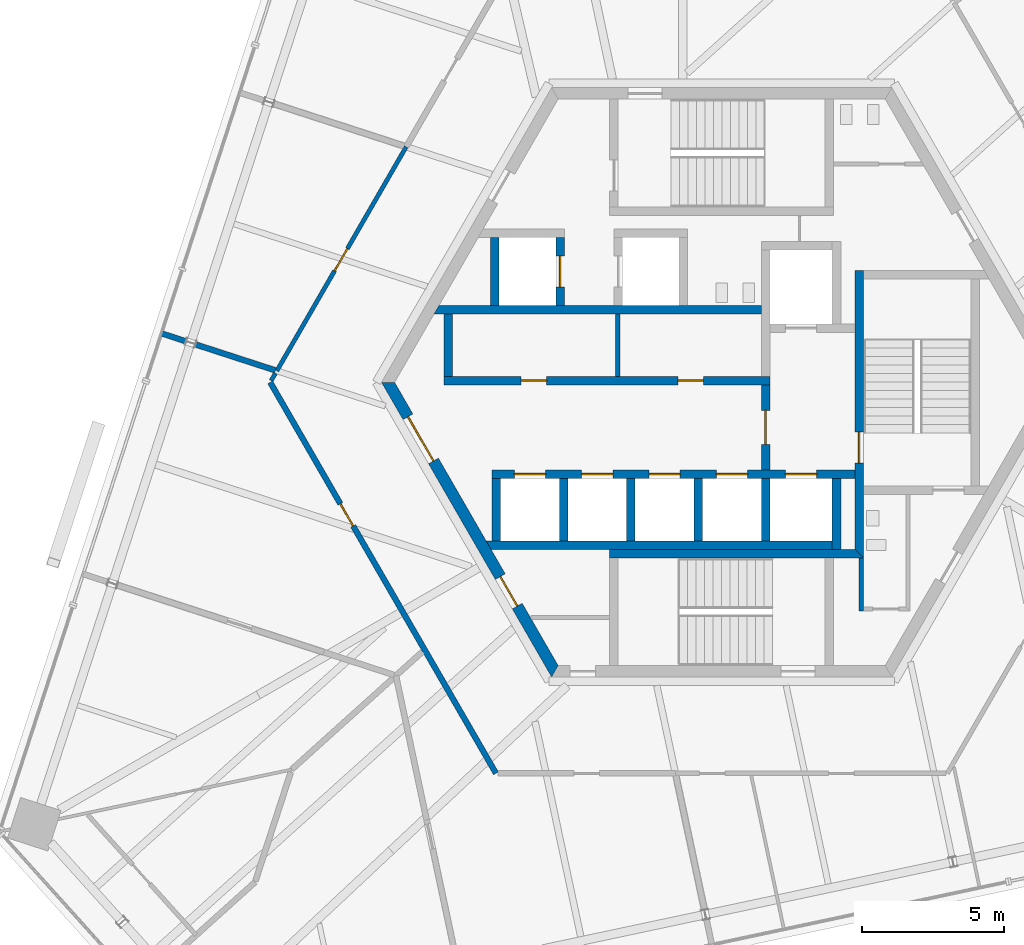
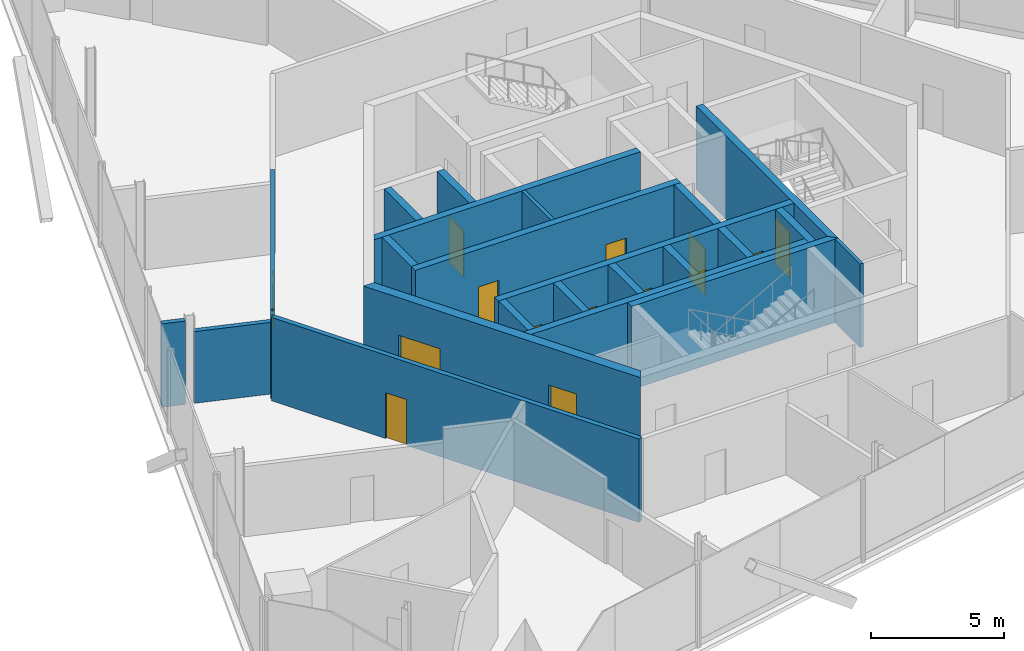
# One storey, part 10 of 14: 24 walls, 14 doors, 14 openings.
"""IFC4 building model written with IfcOpenShell, lengths in metres."""

from ifc_helpers import new_model, si_unit, direction, frame, frame_2d, origin, place, context, subcontext, project, spatial, polyline, rectangle, outline, extrude, source, transform, mapped, material, layer, layer_set, type_object, element, fill, save


model = new_model("IFC4")

# Units and contexts
model_context = context("Model", 3, precision=1e-05, world=origin(), true_north=direction((0.0, 1.0)))
body_context = subcontext(model_context, "Body", "Model", "MODEL_VIEW")
ifc_project = project(units=[si_unit("LENGTHUNIT", "METRE"), si_unit("AREAUNIT", "SQUARE_METRE"), si_unit("VOLUMEUNIT", "CUBIC_METRE"), si_unit("PLANEANGLEUNIT", "RADIAN"), si_unit("MASSUNIT", "GRAM", prefix="KILO")], contexts=[model_context])

# Site, building, storey
site_placement = place(None, origin())
site = spatial("IfcSite", under=ifc_project, at=site_placement, CompositionType="ELEMENT")
building_placement = place(site_placement, origin())
building = spatial("IfcBuilding", under=site, at=building_placement, Name="Triune Harvest Tower", CompositionType="ELEMENT")
storey_placement = place(building_placement, frame((0.0, 0.0, 284.699951171875)))
storey = spatial("IfcBuildingStorey", under=building, at=storey_placement, Name="L75", CompositionType="ELEMENT", Elevation=284.699951171875)

# Wall, opening, door
ifc_material_1 = material(Name="Gypsum board on steel studs", Category="steel")
ifc_layer_1 = layer(ifc_material_1, 0.14990234375)
ifc_layer_set_1 = layer_set([ifc_layer_1], Name="Gypsum board on steel studs")
wall_type_1 = type_object("IfcWallType", Name="Fire Partition 150 mm", PredefinedType="PARTITIONING", material=ifc_layer_set_1)
wall_1_placement = place(storey_placement, frame((-15.69091796875, 0.407470703125, 0.0), z_axis=(0.0, 0.0, 1.0), x_axis=(0.500025186197, 0.866010862038, 0.0)))
wall_1 = element("IfcWall", 1, at=wall_1_placement, inside=storey, type_object=wall_type_1, Name="Partition L75 044", PredefinedType="PARTITIONING", context=body_context, shape_type="SweptSolid", body=[
    extrude(rectangle(XDim=9.12158203125, YDim=0.14990234375, at=frame_2d((4.560791015625, 0.0))), origin(), (0.0, 0.0, 1.0), 3.820068359375),
])
opening_1_placement = place(wall_1_placement, frame((4.07470703125, 0.0, 0.0)))
opening_1 = element("IfcOpeningElement", 2, at=opening_1_placement, cuts=wall_1, Name="Opening L75-006", PredefinedType="OPENING", context=body_context, shape_type="SweptSolid", body=[
    extrude(rectangle(XDim=0.89990234375, YDim=2.10009765625, at=frame_2d((0.449951171875, 1.050048828125))), frame((0.0, 0.0849609375, 0.0), z_axis=(0.0, -1.0, 0.0), x_axis=(1.0, 0.0, 0.0)), (0.0, 0.0, 1.0), 0.169921875),
])
ifc_material_2 = material(Name="Timber and steel door set", Category="steel")
door_type_1 = type_object("IfcDoorType", Name="Single leaf door FD30 left hand 900 x 2100", OperationType="SINGLE_SWING_LEFT", PredefinedType="DOOR", material=ifc_material_2)
door_1_placement = place(opening_1_placement, origin())
door_1 = element("IfcDoor", 3, at=door_1_placement, inside=storey, type_object=door_type_1, Name="Door L75-006 Dry Store Room 75.06", OperationType="SINGLE_SWING_LEFT", OverallHeight=2.10009765625, OverallWidth=0.89990234375, PredefinedType="DOOR", context=body_context, shape_type="SweptSolid", body=[
    extrude(rectangle(XDim=0.89990234375, YDim=2.10009765625, at=frame_2d((0.449951171875, 1.050048828125))), frame((0.0, 0.02490234375, 0.0), z_axis=(0.0, -1.0, 0.0), x_axis=(1.0, 0.0, 0.0)), (0.0, 0.0, 1.0), 0.050048828125),
])
fill(opening_1, door_1)

ifc_material_3 = material(Name="Gypsum board on steel studs", Category="steel")
ifc_layer_2 = layer(ifc_material_3, 0.199951171875)
ifc_layer_set_2 = layer_set([ifc_layer_2], Name="Gypsum board on steel studs")
wall_type_2 = type_object("IfcWallType", Name="Fire Wall 200 mm", PredefinedType="PARTITIONING", material=ifc_layer_set_2)
wall_2_placement = place(storey_placement, frame((-15.926025390625, 0.0, 0.0), z_axis=(0.0, 0.0, 1.0), x_axis=(0.500008637215, -0.866020417028, 0.0)))
wall_2 = element("IfcWall", 4, at=wall_2_placement, inside=storey, type_object=wall_type_2, Name="Partition L75 010", PredefinedType="PARTITIONING", context=body_context, shape_type="SweptSolid", body=[
    extrude(rectangle(XDim=15.926025390625, YDim=0.199951171875, at=frame_2d((7.962890625, 0.0))), origin(), (0.0, 0.0, 1.0), 3.820068359375),
])
opening_2_placement = place(wall_2_placement, frame((4.949951171875, 0.0, 0.0)))
opening_2 = element("IfcOpeningElement", 5, at=opening_2_placement, cuts=wall_2, Name="Opening L75-007", PredefinedType="OPENING", context=body_context, shape_type="SweptSolid", body=[
    extrude(rectangle(XDim=0.89990234375, YDim=2.10009765625, at=frame_2d((0.449951171875, 1.050048828125))), frame((0.0, 0.10986328125, 0.0), z_axis=(0.0, -1.0, 0.0), x_axis=(1.0, 0.0, 0.0)), (0.0, 0.0, 1.0), 0.219970703125),
])
ifc_material_4 = material(Name="Timber and steel door set", Category="steel")
door_type_2 = type_object("IfcDoorType", Name="Single leaf door FD60 right hand 900 x 2100", OperationType="SINGLE_SWING_RIGHT", PredefinedType="DOOR", material=ifc_material_4)
door_2_placement = place(opening_2_placement, origin())
door_2 = element("IfcDoor", 6, at=door_2_placement, inside=storey, type_object=door_type_2, Name="Door L75-007 Commercial Kitchen 75.07", OperationType="SINGLE_SWING_RIGHT", OverallHeight=2.10009765625, OverallWidth=0.89990234375, PredefinedType="DOOR", context=body_context, shape_type="SweptSolid", body=[
    extrude(rectangle(XDim=0.89990234375, YDim=2.10009765625, at=frame_2d((0.449951171875, 1.050048828125))), frame((0.0, 0.02490234375, 0.0), z_axis=(0.0, -1.0, 0.0), x_axis=(1.0, 0.0, 0.0)), (0.0, 0.0, 1.0), 0.050048828125),
])
fill(opening_2, door_2)

# Wall
wall_3_placement = place(storey_placement, frame((-19.76318359375, 1.727783203125, 0.0), z_axis=(0.0, 0.0, 1.0), x_axis=(0.95108307013, -0.308935258124, 0.0)))
element("IfcWall", 7, at=wall_3_placement, inside=storey, type_object=wall_type_2, Name="Partition L75 021", PredefinedType="PARTITIONING", context=body_context, shape_type="SweptSolid", body=[
    extrude(rectangle(XDim=0.9150390625, YDim=0.199951171875, at=frame_2d((0.45751953125, 0.0))), origin(), (0.0, 0.0, 1.0), 3.820068359375),
])

# Wall, openings, doors
ifc_material_5 = material(Name="Concrete 70 MPa", Category="concrete")
ifc_layer_3 = layer(ifc_material_5, 0.39990234375)
ifc_layer_set_3 = layer_set([ifc_layer_3], Name="Concrete 70 MPa")
wall_type_3 = type_object("IfcWallType", Name="Core wall 400", PredefinedType="SHEAR", material=ifc_layer_set_3)
shared_shape_1 = source(origin(), body_context, "Body", "SweptSolid", [
    extrude(outline(polyline([(-0.115478515625, -0.199951171875), (11.884521484375, -0.199951171875), (11.653564453125, 0.199951171875), (0.115478515625, 0.199951171875), (-0.115478515625, -0.199951171875)])), origin(), (0.0, 0.0, 1.0), 3.820068359375),
])
wall_4_placement = place(storey_placement, frame((-11.76904296875, 0.0, 0.0), z_axis=(0.0, 0.0, 1.0), x_axis=(0.499996592174, -0.866027371285, 0.0)))
wall_4 = element("IfcWall", 8, at=wall_4_placement, inside=storey, type_object=wall_type_3, Name="Hexagon 3 wall", PredefinedType="SHEAR", context=body_context, shape_type="MappedRepresentation", body=[
    mapped(shared_shape_1, transform((0.0, 0.0, 0.0), scale=1.0)),
])
opening_3_placement = place(wall_4_placement, frame((1.404541015625, 0.0, 0.0)))
opening_3 = element("IfcOpeningElement", 9, at=opening_3_placement, cuts=wall_4, Name="Opening CD-LS", PredefinedType="OPENING", context=body_context, shape_type="SweptSolid", body=[
    extrude(rectangle(XDim=1.800048828125, YDim=2.10009765625, at=frame_2d((0.89990234375, 1.050048828125))), frame((0.0, 0.2099609375, 0.0), z_axis=(0.0, -1.0, 0.0), x_axis=(1.0, 0.0, 0.0)), (0.0, 0.0, 1.0), 0.419921875),
])
opening_4_placement = place(wall_4_placement, frame((7.91455078125, 0.0, 0.0)))
opening_4 = element("IfcOpeningElement", 10, at=opening_4_placement, cuts=wall_4, Name="Opening CD-SWP", PredefinedType="OPENING", context=body_context, shape_type="SweptSolid", body=[
    extrude(rectangle(XDim=1.199951171875, YDim=2.10009765625, at=frame_2d((0.60009765625, 1.050048828125))), frame((0.0, 0.2099609375, 0.0), z_axis=(0.0, -1.0, 0.0), x_axis=(1.0, 0.0, 0.0)), (0.0, 0.0, 1.0), 0.419921875),
])
ifc_material_6 = material(Name="Steel S235", Category="steel")
door_type_3 = type_object("IfcDoorType", Name="Lobby door 1800 FD120", OperationType="DOUBLE_DOOR_DOUBLE_SWING", PredefinedType="DOOR", material=ifc_material_6)
door_3_placement = place(opening_3_placement, frame((1.800048828125, 0.0, 0.0), z_axis=(0.0, 0.0, 1.0), x_axis=(-1.0, 0.0, 0.0)))
door_3 = element("IfcDoor", 11, at=door_3_placement, inside=storey, type_object=door_type_3, Name="Door CD-LS", OperationType="DOUBLE_DOOR_DOUBLE_SWING", OverallHeight=2.10009765625, OverallWidth=1.800048828125, PredefinedType="DOOR", context=body_context, shape_type="SweptSolid", body=[
    extrude(rectangle(XDim=1.800048828125, YDim=2.10009765625, at=frame_2d((0.89990234375, 1.050048828125))), frame((0.0, 0.02490234375, 0.0), z_axis=(0.0, -1.0, 0.0), x_axis=(1.0, 0.0, 0.0)), (0.0, 0.0, 1.0), 0.050048828125),
])
fill(opening_3, door_3)
ifc_material_7 = material(Name="Steel S235", Category="steel")
door_type_4 = type_object("IfcDoorType", Name="Service door 1200 FD120", OperationType="SINGLE_SWING_LEFT", PredefinedType="DOOR", material=ifc_material_7)
door_4_placement = place(opening_4_placement, frame((1.199951171875, 0.0, 0.0), z_axis=(0.0, 0.0, 1.0), x_axis=(-1.0, 0.0, 0.0)))
door_4 = element("IfcDoor", 12, at=door_4_placement, inside=storey, type_object=door_type_4, Name="Door CD-SWP", OperationType="SINGLE_SWING_RIGHT", OverallHeight=2.10009765625, OverallWidth=1.199951171875, PredefinedType="DOOR", context=body_context, shape_type="SweptSolid", body=[
    extrude(rectangle(XDim=1.199951171875, YDim=2.10009765625, at=frame_2d((0.60009765625, 1.050048828125))), frame((0.0, 0.02490234375, 0.0), z_axis=(0.0, -1.0, 0.0), x_axis=(1.0, 0.0, 0.0)), (0.0, 0.0, 1.0), 0.050048828125),
])
fill(opening_4, door_4)

ifc_material_8 = material(Name="Concrete 70 MPa", Category="concrete")
ifc_layer_4 = layer(ifc_material_8, 0.300048828125)
ifc_layer_set_4 = layer_set([ifc_layer_4], Name="Concrete 70 MPa")
wall_type_4 = type_object("IfcWallType", Name="Core wall 300", PredefinedType="SHEAR", material=ifc_layer_set_4)
shared_shape_2 = source(origin(), body_context, "Body", "SweptSolid", [
    extrude(rectangle(XDim=11.5, YDim=0.300048828125, at=frame_2d((5.75, 0.0))), origin(), (0.0, 0.0, 1.0), 3.820068359375),
])
wall_5_placement = place(storey_placement, frame((-9.800048828125, 0.06005859375, 0.0), z_axis=(0.0, 0.0, 1.0), x_axis=(1.0, 0.0, 0.0)))
wall_5 = element("IfcWall", 13, at=wall_5_placement, inside=storey, type_object=wall_type_4, Name="North front wall", PredefinedType="SHEAR", context=body_context, shape_type="MappedRepresentation", body=[
    mapped(shared_shape_2, transform((0.0, 0.0, 0.0), scale=1.0)),
])
opening_5_placement = place(wall_5_placement, frame((2.7275390625, 0.0, 0.0)))
opening_5 = element("IfcOpeningElement", 14, at=opening_5_placement, cuts=wall_5, Name="Opening CD-RN1", PredefinedType="OPENING", context=body_context, shape_type="SweptSolid", body=[
    extrude(rectangle(XDim=0.89990234375, YDim=2.10009765625, at=frame_2d((0.449951171875, 1.050048828125))), frame((0.0, 0.16015625, 0.0), z_axis=(0.0, -1.0, 0.0), x_axis=(1.0, 0.0, 0.0)), (0.0, 0.0, 1.0), 0.320068359375),
])
opening_6_placement = place(wall_5_placement, frame((8.25244140625, 0.0, 0.0)))
opening_6 = element("IfcOpeningElement", 15, at=opening_6_placement, cuts=wall_5, Name="Opening CD-RN2", PredefinedType="OPENING", context=body_context, shape_type="SweptSolid", body=[
    extrude(rectangle(XDim=0.89990234375, YDim=2.10009765625, at=frame_2d((0.449951171875, 1.050048828125))), frame((0.0, 0.16015625, 0.0), z_axis=(0.0, -1.0, 0.0), x_axis=(1.0, 0.0, 0.0)), (0.0, 0.0, 1.0), 0.320068359375),
])
ifc_material_9 = material(Name="Steel S235", Category="steel")
door_type_5 = type_object("IfcDoorType", Name="Riser door 900 FD120", OperationType="SINGLE_SWING_LEFT", PredefinedType="DOOR", material=ifc_material_9)
door_5_placement = place(opening_5_placement, frame((0.89990234375, 0.0, 0.0), z_axis=(0.0, 0.0, 1.0), x_axis=(-1.0, 0.0, 0.0)))
door_5 = element("IfcDoor", 16, at=door_5_placement, inside=storey, type_object=door_type_5, Name="Door CD-RN1", OperationType="SINGLE_SWING_RIGHT", OverallHeight=2.10009765625, OverallWidth=0.89990234375, PredefinedType="DOOR", context=body_context, shape_type="SweptSolid", body=[
    extrude(rectangle(XDim=0.89990234375, YDim=2.10009765625, at=frame_2d((0.449951171875, 1.050048828125))), frame((0.0, 0.02490234375, 0.0), z_axis=(0.0, -1.0, 0.0), x_axis=(1.0, 0.0, 0.0)), (0.0, 0.0, 1.0), 0.050048828125),
])
fill(opening_5, door_5)
door_6_placement = place(opening_6_placement, frame((0.89990234375, 0.0, 0.0), z_axis=(0.0, 0.0, 1.0), x_axis=(-1.0, 0.0, 0.0)))
door_6 = element("IfcDoor", 17, at=door_6_placement, inside=storey, type_object=door_type_5, Name="Door CD-RN2", OperationType="SINGLE_SWING_RIGHT", OverallHeight=2.10009765625, OverallWidth=0.89990234375, PredefinedType="DOOR", context=body_context, shape_type="SweptSolid", body=[
    extrude(rectangle(XDim=0.89990234375, YDim=2.10009765625, at=frame_2d((0.449951171875, 1.050048828125))), frame((0.0, 0.02490234375, 0.0), z_axis=(0.0, -1.0, 0.0), x_axis=(1.0, 0.0, 0.0)), (0.0, 0.0, 1.0), 0.050048828125),
])
fill(opening_6, door_6)

# Walls
shared_shape_3 = source(origin(), body_context, "Body", "SweptSolid", [
    extrude(outline(polyline([(11.199951171875, -0.14990234375), (-0.34912109375, -0.14990234375), (-0.17578125, 0.14990234375), (11.199951171875, 0.14990234375), (11.199951171875, -0.14990234375)])), origin(), (0.0, 0.0, 1.0), 3.820068359375),
])
wall_6_placement = place(storey_placement, frame((-9.800048828125, 2.56005859375, 0.0), z_axis=(0.0, 0.0, 1.0), x_axis=(1.0, 0.0, 0.0)))
element("IfcWall", 18, at=wall_6_placement, inside=storey, type_object=wall_type_4, Name="North back wall", PredefinedType="SHEAR", context=body_context, shape_type="MappedRepresentation", body=[
    mapped(shared_shape_3, transform((0.0, 0.0, 0.0), scale=1.0)),
])
shared_shape_4 = source(origin(), body_context, "Body", "SweptSolid", [
    extrude(rectangle(XDim=2.5, YDim=0.300048828125, at=frame_2d((1.25, 0.0))), origin(), (0.0, 0.0, 1.0), 3.820068359375),
])
wall_7_placement = place(storey_placement, frame((4.050048828125, -5.889892578125, 0.0), z_axis=(0.0, 0.0, 1.0), x_axis=(0.0, 1.0, 0.0)))
element("IfcWall", 19, at=wall_7_placement, inside=storey, type_object=wall_type_4, Name="Ff2 east wall", PredefinedType="SHEAR", context=body_context, shape_type="MappedRepresentation", body=[
    mapped(shared_shape_4, transform((0.0, 0.0, 0.0), scale=1.0)),
])

# Wall, opening, door
shared_shape_5 = source(origin(), body_context, "Body", "SweptSolid", [
    extrude(rectangle(XDim=3.0, YDim=0.300048828125, at=frame_2d((1.5, 0.0))), origin(), (0.0, 0.0, 1.0), 3.820068359375),
])
wall_8_placement = place(storey_placement, frame((1.550048828125, -3.090087890625, 0.0), z_axis=(0.0, 0.0, 1.0), x_axis=(0.0, 1.0, 0.0)))
wall_8 = element("IfcWall", 20, at=wall_8_placement, inside=storey, type_object=wall_type_4, Name="Ff lobby west wall", PredefinedType="SHEAR", context=body_context, shape_type="MappedRepresentation", body=[
    mapped(shared_shape_5, transform((0.0, 0.0, 0.0), scale=1.0)),
])
opening_7_placement = place(wall_8_placement, frame((0.89990234375, 0.0, 0.0)))
opening_7 = element("IfcOpeningElement", 21, at=opening_7_placement, cuts=wall_8, Name="Opening CD-FL", PredefinedType="OPENING", context=body_context, shape_type="SweptSolid", body=[
    extrude(rectangle(XDim=1.199951171875, YDim=2.10009765625, at=frame_2d((0.60009765625, 1.050048828125))), frame((0.0, 0.16015625, 0.0), z_axis=(0.0, -1.0, 0.0), x_axis=(1.0, 0.0, 0.0)), (0.0, 0.0, 1.0), 0.320068359375),
])
ifc_material_10 = material(Name="Steel S235", Category="steel")
door_type_6 = type_object("IfcDoorType", Name="Firefighters' lobby door 1200 FD120", OperationType="SINGLE_SWING_LEFT", PredefinedType="DOOR", material=ifc_material_10)
door_7_placement = place(opening_7_placement, frame((1.199951171875, 0.0, 0.0), z_axis=(0.0, 0.0, 1.0), x_axis=(-1.0, 0.0, 0.0)))
door_7 = element("IfcDoor", 22, at=door_7_placement, inside=storey, type_object=door_type_6, Name="Door CD-FL", OperationType="SINGLE_SWING_RIGHT", OverallHeight=2.10009765625, OverallWidth=1.199951171875, PredefinedType="DOOR", context=body_context, shape_type="SweptSolid", body=[
    extrude(rectangle(XDim=1.199951171875, YDim=2.10009765625, at=frame_2d((0.60009765625, 1.050048828125))), frame((0.0, 0.02490234375, 0.0), z_axis=(0.0, -1.0, 0.0), x_axis=(1.0, 0.0, 0.0)), (0.0, 0.0, 1.0), 0.050048828125),
])
fill(opening_7, door_7)

# Wall, openings, doors
shared_shape_6 = source(origin(), body_context, "Body", "SweptSolid", [
    extrude(rectangle(XDim=12.800048828125, YDim=0.300048828125, at=frame_2d((6.39990234375, 0.0))), origin(), (0.0, 0.0, 1.0), 3.820068359375),
])
wall_9_placement = place(storey_placement, frame((-8.10009765625, -3.239990234375, 0.0), z_axis=(0.0, 0.0, 1.0), x_axis=(1.0, 0.0, 0.0)))
wall_9 = element("IfcWall", 23, at=wall_9_placement, inside=storey, type_object=wall_type_4, Name="South front wall", PredefinedType="SHEAR", context=body_context, shape_type="MappedRepresentation", body=[
    mapped(shared_shape_6, transform((0.0, 0.0, 0.0), scale=1.0)),
])
opening_8_placement = place(wall_9_placement, frame((0.78759765625, 0.0, 0.0)))
opening_8 = element("IfcOpeningElement", 24, at=opening_8_placement, cuts=wall_9, Name="Opening LD-HR1-75", PredefinedType="OPENING", context=body_context, shape_type="SweptSolid", body=[
    extrude(rectangle(XDim=1.10009765625, YDim=2.10009765625, at=frame_2d((0.550048828125, 1.050048828125))), frame((0.0, 0.16015625, 0.0), z_axis=(0.0, -1.0, 0.0), x_axis=(1.0, 0.0, 0.0)), (0.0, 0.0, 1.0), 0.320068359375),
])
opening_9_placement = place(wall_9_placement, frame((3.16259765625, 0.0, 0.0)))
opening_9 = element("IfcOpeningElement", 25, at=opening_9_placement, cuts=wall_9, Name="Opening LD-HR2-75", PredefinedType="OPENING", context=body_context, shape_type="SweptSolid", body=[
    extrude(rectangle(XDim=1.10009765625, YDim=2.10009765625, at=frame_2d((0.550048828125, 1.050048828125))), frame((0.0, 0.16015625, 0.0), z_axis=(0.0, -1.0, 0.0), x_axis=(1.0, 0.0, 0.0)), (0.0, 0.0, 1.0), 0.320068359375),
])
opening_10_placement = place(wall_9_placement, frame((5.53759765625, 0.0, 0.0)))
opening_10 = element("IfcOpeningElement", 26, at=opening_10_placement, cuts=wall_9, Name="Opening LD-HR3-75", PredefinedType="OPENING", context=body_context, shape_type="SweptSolid", body=[
    extrude(rectangle(XDim=1.10009765625, YDim=2.10009765625, at=frame_2d((0.550048828125, 1.050048828125))), frame((0.0, 0.16015625, 0.0), z_axis=(0.0, -1.0, 0.0), x_axis=(1.0, 0.0, 0.0)), (0.0, 0.0, 1.0), 0.320068359375),
])
opening_11_placement = place(wall_9_placement, frame((7.91259765625, 0.0, 0.0)))
opening_11 = element("IfcOpeningElement", 27, at=opening_11_placement, cuts=wall_9, Name="Opening LD-HR4-75", PredefinedType="OPENING", context=body_context, shape_type="SweptSolid", body=[
    extrude(rectangle(XDim=1.10009765625, YDim=2.10009765625, at=frame_2d((0.550048828125, 1.050048828125))), frame((0.0, 0.16015625, 0.0), z_axis=(0.0, -1.0, 0.0), x_axis=(1.0, 0.0, 0.0)), (0.0, 0.0, 1.0), 0.320068359375),
])
opening_12_placement = place(wall_9_placement, frame((10.35009765625, 0.0, 0.0)))
opening_12 = element("IfcOpeningElement", 28, at=opening_12_placement, cuts=wall_9, Name="Opening LD-FF2-75", PredefinedType="OPENING", context=body_context, shape_type="SweptSolid", body=[
    extrude(rectangle(XDim=1.10009765625, YDim=2.10009765625, at=frame_2d((0.550048828125, 1.050048828125))), frame((0.0, 0.16015625, 0.0), z_axis=(0.0, -1.0, 0.0), x_axis=(1.0, 0.0, 0.0)), (0.0, 0.0, 1.0), 0.320068359375),
])
ifc_material_11 = material(Name="Stainless steel AISI 304", Category="steel")
door_type_7 = type_object("IfcDoorType", Name="Landing door 1100 x 2100", OperationType="DOUBLE_DOOR_SLIDING", PredefinedType="DOOR", material=ifc_material_11)
door_8_placement = place(opening_8_placement, origin())
door_8 = element("IfcDoor", 29, at=door_8_placement, inside=storey, type_object=door_type_7, Name="Door LD-HR1-75", OperationType="DOUBLE_DOOR_SLIDING", OverallHeight=2.10009765625, OverallWidth=1.10009765625, PredefinedType="DOOR", context=body_context, shape_type="SweptSolid", body=[
    extrude(rectangle(XDim=1.10009765625, YDim=2.10009765625, at=frame_2d((0.550048828125, 1.050048828125))), frame((0.0, 0.02490234375, 0.0), z_axis=(0.0, -1.0, 0.0), x_axis=(1.0, 0.0, 0.0)), (0.0, 0.0, 1.0), 0.050048828125),
])
fill(opening_8, door_8)
door_9_placement = place(opening_9_placement, origin())
door_9 = element("IfcDoor", 30, at=door_9_placement, inside=storey, type_object=door_type_7, Name="Door LD-HR2-75", OperationType="DOUBLE_DOOR_SLIDING", OverallHeight=2.10009765625, OverallWidth=1.10009765625, PredefinedType="DOOR", context=body_context, shape_type="SweptSolid", body=[
    extrude(rectangle(XDim=1.10009765625, YDim=2.10009765625, at=frame_2d((0.550048828125, 1.050048828125))), frame((0.0, 0.02490234375, 0.0), z_axis=(0.0, -1.0, 0.0), x_axis=(1.0, 0.0, 0.0)), (0.0, 0.0, 1.0), 0.050048828125),
])
fill(opening_9, door_9)
door_10_placement = place(opening_10_placement, origin())
door_10 = element("IfcDoor", 31, at=door_10_placement, inside=storey, type_object=door_type_7, Name="Door LD-HR3-75", OperationType="DOUBLE_DOOR_SLIDING", OverallHeight=2.10009765625, OverallWidth=1.10009765625, PredefinedType="DOOR", context=body_context, shape_type="SweptSolid", body=[
    extrude(rectangle(XDim=1.10009765625, YDim=2.10009765625, at=frame_2d((0.550048828125, 1.050048828125))), frame((0.0, 0.02490234375, 0.0), z_axis=(0.0, -1.0, 0.0), x_axis=(1.0, 0.0, 0.0)), (0.0, 0.0, 1.0), 0.050048828125),
])
fill(opening_10, door_10)
door_11_placement = place(opening_11_placement, origin())
door_11 = element("IfcDoor", 32, at=door_11_placement, inside=storey, type_object=door_type_7, Name="Door LD-HR4-75", OperationType="DOUBLE_DOOR_SLIDING", OverallHeight=2.10009765625, OverallWidth=1.10009765625, PredefinedType="DOOR", context=body_context, shape_type="SweptSolid", body=[
    extrude(rectangle(XDim=1.10009765625, YDim=2.10009765625, at=frame_2d((0.550048828125, 1.050048828125))), frame((0.0, 0.02490234375, 0.0), z_axis=(0.0, -1.0, 0.0), x_axis=(1.0, 0.0, 0.0)), (0.0, 0.0, 1.0), 0.050048828125),
])
fill(opening_11, door_11)
door_12_placement = place(opening_12_placement, origin())
door_12 = element("IfcDoor", 33, at=door_12_placement, inside=storey, type_object=door_type_7, Name="Door LD-FF2-75", OperationType="DOUBLE_DOOR_SLIDING", OverallHeight=2.10009765625, OverallWidth=1.10009765625, PredefinedType="DOOR", context=body_context, shape_type="SweptSolid", body=[
    extrude(rectangle(XDim=1.10009765625, YDim=2.10009765625, at=frame_2d((0.550048828125, 1.050048828125))), frame((0.0, 0.02490234375, 0.0), z_axis=(0.0, -1.0, 0.0), x_axis=(1.0, 0.0, 0.0)), (0.0, 0.0, 1.0), 0.050048828125),
])
fill(opening_12, door_12)

# Walls
shared_shape_7 = source(origin(), body_context, "Body", "SweptSolid", [
    extrude(outline(polyline([(12.0, -0.14990234375), (-0.039794921875, -0.14990234375), (-0.212890625, 0.14990234375), (12.0, 0.14990234375), (12.0, -0.14990234375)])), origin(), (0.0, 0.0, 1.0), 3.820068359375),
])
wall_10_placement = place(storey_placement, frame((-8.10009765625, -5.739990234375, 0.0), z_axis=(0.0, 0.0, 1.0), x_axis=(1.0, 0.0, 0.0)))
element("IfcWall", 34, at=wall_10_placement, inside=storey, type_object=wall_type_4, Name="South back wall", PredefinedType="SHEAR", context=body_context, shape_type="MappedRepresentation", body=[
    mapped(shared_shape_7, transform((0.0, 0.0, 0.0), scale=1.0)),
])
shared_shape_8 = source(origin(), body_context, "Body", "SweptSolid", [
    extrude(rectangle(XDim=2.2001953125, YDim=0.300048828125, at=frame_2d((1.10009765625, 0.0))), origin(), (0.0, 0.0, 1.0), 3.820068359375),
])
for number, where, z_axis, x_axis, name in (
    (35, (-7.949951171875, -5.590087890625, 0.0), (0.0, 0.0, 1.0), (0.0, 1.0, 0.0), "South end west wall"),
    (36, (1.550048828125, -5.590087890625, 0.0), (0.0, 0.0, 1.0), (0.0, 1.0, 0.0), "Ff2 west wall"),
    (37, (-5.574951171875, -5.590087890625, 0.0), (0.0, 0.0, 1.0), (0.0, 1.0, 0.0), "South cross 1 wall"),
    (38, (-3.199951171875, -5.590087890625, 0.0), (0.0, 0.0, 1.0), (0.0, 1.0, 0.0), "South cross 2 wall"),
    (39, (-0.824951171875, -5.590087890625, 0.0), (0.0, 0.0, 1.0), (0.0, 1.0, 0.0), "South cross 3 wall"),
):
    element("IfcWall", number, at=place(storey_placement, frame(where, z_axis=z_axis, x_axis=x_axis)), inside=storey, type_object=wall_type_4, Name=name, PredefinedType="SHEAR", context=body_context, shape_type="MappedRepresentation", body=[
        mapped(shared_shape_8, transform((0.0, 0.0, 0.0), scale=1.0)),
    ])
shared_shape_9 = source(origin(), body_context, "Body", "SweptSolid", [
    extrude(rectangle(XDim=2.199951171875, YDim=0.300048828125, at=frame_2d((1.10009765625, 0.0))), origin(), (0.0, 0.0, 1.0), 3.820068359375),
])
wall_11_placement = place(storey_placement, frame((-9.64990234375, 0.2099609375, 0.0), z_axis=(0.0, 0.0, 1.0), x_axis=(0.0, 1.0, 0.0)))
element("IfcWall", 40, at=wall_11_placement, inside=storey, type_object=wall_type_4, Name="North end west wall", PredefinedType="SHEAR", context=body_context, shape_type="MappedRepresentation", body=[
    mapped(shared_shape_9, transform((0.0, 0.0, 0.0), scale=1.0)),
])

# Wall, opening, door
shared_shape_10 = source(origin(), body_context, "Body", "SweptSolid", [
    extrude(outline(polyline([(-0.14990234375, -0.14990234375), (9.989990234375, -0.14990234375), (9.989990234375, 0.14990234375), (0.14990234375, 0.14990234375), (-0.14990234375, -0.14990234375)])), origin(), (0.0, 0.0, 1.0), 3.820068359375),
])
wall_12_placement = place(storey_placement, frame((4.85009765625, -6.0400390625, 0.0), z_axis=(0.0, 0.0, 1.0), x_axis=(0.0, 1.0, 0.0)))
wall_12 = element("IfcWall", 41, at=wall_12_placement, inside=storey, type_object=wall_type_4, Name="Stair e west wall", PredefinedType="SHEAR", context=body_context, shape_type="MappedRepresentation", body=[
    mapped(shared_shape_10, transform((0.0, 0.0, 0.0), scale=1.0)),
])
opening_13_placement = place(wall_12_placement, frame((3.18994140625, 0.0, 0.0)))
opening_13 = element("IfcOpeningElement", 42, at=opening_13_placement, cuts=wall_12, Name="Opening CD-S3L", PredefinedType="OPENING", context=body_context, shape_type="SweptSolid", body=[
    extrude(rectangle(XDim=1.10009765625, YDim=2.10009765625, at=frame_2d((0.550048828125, 1.050048828125))), frame((0.0, 0.16015625, 0.0), z_axis=(0.0, -1.0, 0.0), x_axis=(1.0, 0.0, 0.0)), (0.0, 0.0, 1.0), 0.320068359375),
])
ifc_material_12 = material(Name="Steel S235", Category="steel")
door_type_8 = type_object("IfcDoorType", Name="Stair door 1100 FD120", OperationType="SINGLE_SWING_LEFT", PredefinedType="DOOR", material=ifc_material_12)
door_13_placement = place(opening_13_placement, frame((1.10009765625, 0.0, 0.0), z_axis=(0.0, 0.0, 1.0), x_axis=(-1.0, 0.0, 0.0)))
door_13 = element("IfcDoor", 43, at=door_13_placement, inside=storey, type_object=door_type_8, Name="Door CD-S3L", OperationType="SINGLE_SWING_RIGHT", OverallHeight=2.10009765625, OverallWidth=1.10009765625, PredefinedType="DOOR", context=body_context, shape_type="SweptSolid", body=[
    extrude(rectangle(XDim=1.10009765625, YDim=2.10009765625, at=frame_2d((0.550048828125, 1.050048828125))), frame((0.0, 0.02490234375, 0.0), z_axis=(0.0, -1.0, 0.0), x_axis=(1.0, 0.0, 0.0)), (0.0, 0.0, 1.0), 0.050048828125),
])
fill(opening_13, door_13)

# Walls
shared_shape_11 = source(origin(), body_context, "Body", "SweptSolid", [
    extrude(outline(polyline([(0.0, -0.14990234375), (8.949951171875, -0.14990234375), (8.64990234375, 0.14990234375), (0.0, 0.14990234375), (0.0, -0.14990234375)])), origin(), (0.0, 0.0, 1.0), 3.820068359375),
])
wall_13_placement = place(storey_placement, frame((-3.949951171875, -6.0400390625, 0.0), z_axis=(0.0, 0.0, 1.0), x_axis=(1.0, 0.0, 0.0)))
element("IfcWall", 44, at=wall_13_placement, inside=storey, type_object=wall_type_4, Name="Stair s north wall", PredefinedType="SHEAR", context=body_context, shape_type="MappedRepresentation", body=[
    mapped(shared_shape_11, transform((0.0, 0.0, 0.0), scale=1.0)),
])
shared_shape_12 = source(origin(), body_context, "Body", "SweptSolid", [
    extrude(rectangle(XDim=2.400146484375, YDim=0.300048828125, at=frame_2d((1.2001953125, 0.0))), origin(), (0.0, 0.0, 1.0), 3.820068359375),
])
wall_14_placement = place(storey_placement, frame((-8.0, 2.7099609375, 0.0), z_axis=(0.0, 0.0, 1.0), x_axis=(0.0, 1.0, 0.0)))
element("IfcWall", 45, at=wall_14_placement, inside=storey, type_object=wall_type_4, Name="Sv1 west wall", PredefinedType="SHEAR", context=body_context, shape_type="MappedRepresentation", body=[
    mapped(shared_shape_12, transform((0.0, 0.0, 0.0), scale=1.0)),
])

# Wall, opening, door
wall_15_placement = place(storey_placement, frame((-5.699951171875, 2.7099609375, 0.0), z_axis=(0.0, 0.0, 1.0), x_axis=(0.0, 1.0, 0.0)))
wall_15 = element("IfcWall", 46, at=wall_15_placement, inside=storey, type_object=wall_type_4, Name="Sv1 east wall", PredefinedType="SHEAR", context=body_context, shape_type="MappedRepresentation", body=[
    mapped(shared_shape_12, transform((0.0, 0.0, 0.0), scale=1.0)),
])
opening_14_placement = place(wall_15_placement, frame((0.64990234375, 0.0, 0.0)))
opening_14 = element("IfcOpeningElement", 47, at=opening_14_placement, cuts=wall_15, Name="Opening LD-SV1-75", PredefinedType="OPENING", context=body_context, shape_type="SweptSolid", body=[
    extrude(rectangle(XDim=1.10009765625, YDim=2.10009765625, at=frame_2d((0.550048828125, 1.050048828125))), frame((0.0, 0.16015625, 0.0), z_axis=(0.0, -1.0, 0.0), x_axis=(1.0, 0.0, 0.0)), (0.0, 0.0, 1.0), 0.320068359375),
])
door_14_placement = place(opening_14_placement, origin())
door_14 = element("IfcDoor", 48, at=door_14_placement, inside=storey, type_object=door_type_7, Name="Door LD-SV1-75", OperationType="DOUBLE_DOOR_SLIDING", OverallHeight=2.10009765625, OverallWidth=1.10009765625, PredefinedType="DOOR", context=body_context, shape_type="SweptSolid", body=[
    extrude(rectangle(XDim=1.10009765625, YDim=2.10009765625, at=frame_2d((0.550048828125, 1.050048828125))), frame((0.0, 0.02490234375, 0.0), z_axis=(0.0, -1.0, 0.0), x_axis=(1.0, 0.0, 0.0)), (0.0, 0.0, 1.0), 0.050048828125),
])
fill(opening_14, door_14)

# Walls
ifc_material_13 = material(Name="Concrete masonry unit", Category="masonry")
ifc_layer_5 = layer(ifc_material_13, 0.14990234375)
ifc_layer_set_5 = layer_set([ifc_layer_5], Name="Concrete masonry unit")
wall_type_5 = type_object("IfcWallType", Name="Block partition 150", PredefinedType="PARTITIONING", material=ifc_layer_set_5)
shared_shape_13 = source(origin(), body_context, "Body", "SweptSolid", [
    extrude(rectangle(XDim=2.199951171875, YDim=0.14990234375, at=frame_2d((1.10009765625, 0.0))), origin(), (0.0, 0.0, 1.0), 3.820068359375),
])
wall_16_placement = place(storey_placement, frame((-3.669921875, 0.2099609375, 0.0), z_axis=(0.0, 0.0, 1.0), x_axis=(0.0, 1.0, 0.0)))
element("IfcWall", 49, at=wall_16_placement, inside=storey, type_object=wall_type_5, Name="Row n part 1 wall", PredefinedType="PARTITIONING", context=body_context, shape_type="MappedRepresentation", body=[
    mapped(shared_shape_13, transform((0.0, 0.0, 0.0), scale=1.0)),
])
ifc_material_14 = material(Name="Concrete masonry unit", Category="masonry")
ifc_layer_6 = layer(ifc_material_14, 0.14990234375)
ifc_layer_set_6 = layer_set([ifc_layer_6], Name="Concrete masonry unit")
wall_type_6 = type_object("IfcWallType", Name="Block partition 150 unrated", PredefinedType="PARTITIONING", material=ifc_layer_set_6)
shared_shape_14 = source(origin(), body_context, "Body", "SweptSolid", [
    extrude(rectangle(XDim=1.885009765625, YDim=0.14990234375, at=frame_2d((0.9423828125, 0.0))), origin(), (0.0, 0.0, 1.0), 3.820068359375),
])
wall_17_placement = place(storey_placement, frame((4.925048828125, -8.074951171875, 0.0), z_axis=(0.0, 0.0, 1.0), x_axis=(0.0, 1.0, 0.0)))
element("IfcWall", 50, at=wall_17_placement, inside=storey, type_object=wall_type_6, Name="Wc acc west wall", PredefinedType="PARTITIONING", context=body_context, shape_type="MappedRepresentation", body=[
    mapped(shared_shape_14, transform((0.0, 0.0, 0.0), scale=1.0)),
])
shared_shape_15 = source(origin(), body_context, "Body", "SweptSolid", [
    extrude(rectangle(XDim=0.30078125, YDim=0.14990234375, at=frame_2d((0.150390625, 0.0))), origin(), (0.0, 0.0, 1.0), 3.820068359375),
])
wall_18_placement = place(storey_placement, frame((-15.89111328125, 0.060302734375, 0.0), z_axis=(0.0, 0.0, 1.0), x_axis=(0.499980071345, 0.866036909293, 0.0)))
element("IfcWall", 51, at=wall_18_placement, inside=storey, type_object=wall_type_1, Name="Partition L75 043", PredefinedType="PARTITIONING", context=body_context, shape_type="MappedRepresentation", body=[
    mapped(shared_shape_15, transform((0.0, 0.0, 0.0), scale=1.0)),
])
shared_shape_16 = source(origin(), body_context, "Body", "SweptSolid", [
    extrude(rectangle(XDim=2.974609375, YDim=0.199951171875, at=frame_2d((1.4873046875, 0.0))), origin(), (0.0, 0.0, 1.0), 3.283935546875),
])
wall_19_placement = place(storey_placement, frame((-18.56884765625, 1.339599609375, 0.0), z_axis=(0.0, 0.0, 1.0), x_axis=(0.951060603208, -0.309004415868, 0.0)))
element("IfcWall", 52, at=wall_19_placement, inside=storey, type_object=wall_type_2, Name="Partition L75 022", PredefinedType="PARTITIONING", context=body_context, shape_type="MappedRepresentation", body=[
    mapped(shared_shape_16, transform((0.0, 0.0, 0.0), scale=1.0)),
])

save(model, "model.ifc")
